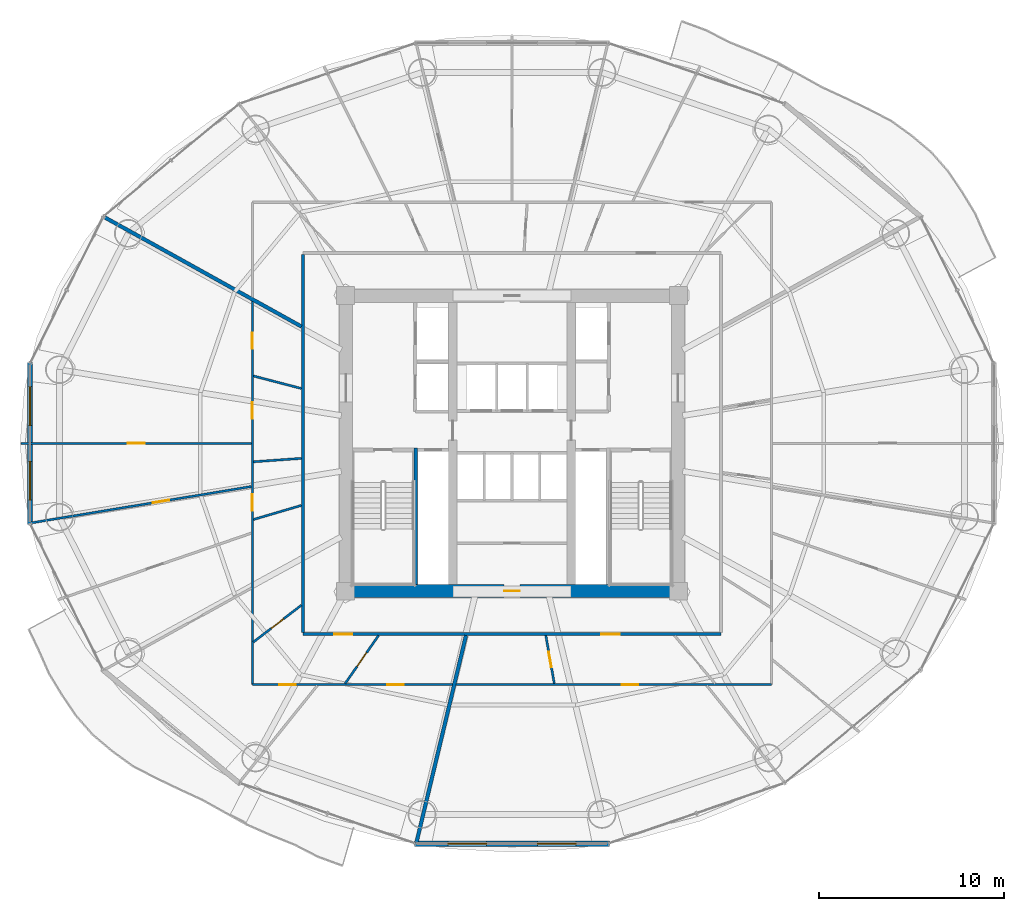
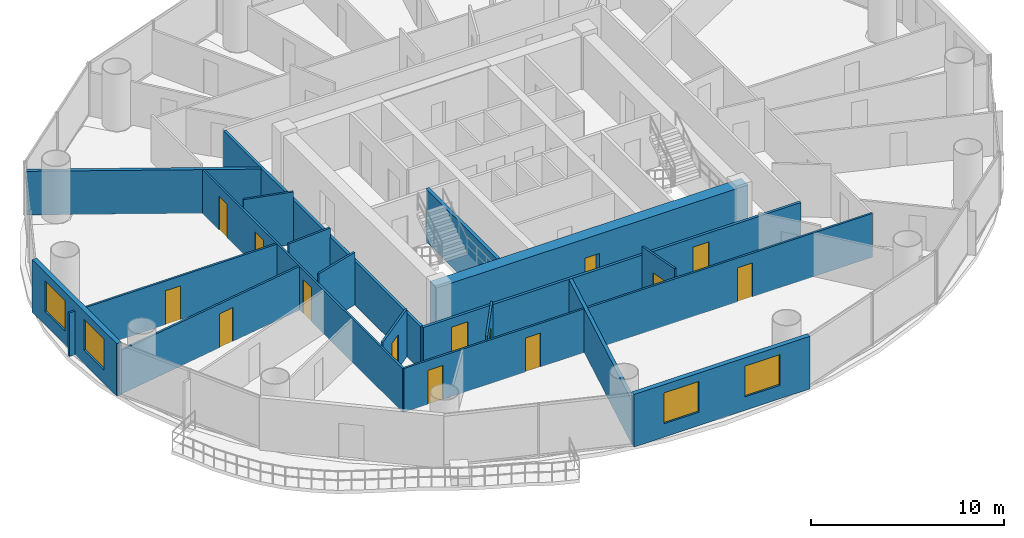
# One storey, part 22 of 29: 19 walls, 14 doors, 4 windows, 18 openings.
"""IFC4 building model written with IfcOpenShell, lengths in metres."""

from ifc_helpers import new_model, si_unit, direction, frame, frame_2d, origin, place, context, subcontext, project, spatial, rectangle, extrude, source, transform, mapped, material, layer, layer_set, type_object, element, fill, save


model = new_model("IFC4")

# Units and contexts
model_context = context("Model", 3, precision=1e-05, world=origin(), true_north=direction((-0.2419218956, 0.970295726276)))
body_context = subcontext(model_context, "Body", "Model", "MODEL_VIEW")
ifc_project = project(units=[si_unit("LENGTHUNIT", "METRE"), si_unit("AREAUNIT", "SQUARE_METRE"), si_unit("VOLUMEUNIT", "CUBIC_METRE"), si_unit("PLANEANGLEUNIT", "RADIAN"), si_unit("MASSUNIT", "GRAM", prefix="KILO")], contexts=[model_context])

# Site, building, storey
site_placement = place(None, origin())
site = spatial("IfcSite", under=ifc_project, at=site_placement, CompositionType="ELEMENT")
building_placement = place(site_placement, origin())
building = spatial("IfcBuilding", under=site, at=building_placement, Name="Cobrevalo Terracotta Tower", CompositionType="ELEMENT")
storey_placement = place(building_placement, frame((0.0, 0.0, 97.800048828125)))
storey = spatial("IfcBuildingStorey", under=building, at=storey_placement, Name="L25", CompositionType="ELEMENT", Elevation=97.800048828125)

# Wall, opening, door
ifc_material_1 = material(Name="Concrete C60", Category="concrete")
ifc_layer_1 = layer(ifc_material_1, 0.699951171875)
ifc_layer_set_1 = layer_set([ifc_layer_1], Name="Concrete C60")
wall_type_1 = type_object("IfcWallType", Name="Core shear wall 700 mm Concrete C60", PredefinedType="SHEAR", material=ifc_layer_set_1)
wall_1_placement = place(storey_placement, frame((28.675048828125, 18.824951171875, 0.0), z_axis=(0.0, 0.0, 1.0), x_axis=(1.0, 0.0, 0.0)))
wall_1 = element("IfcWall", 1, at=wall_1_placement, inside=storey, type_object=wall_type_1, Name="L25 south core shear wall", PredefinedType="SHEAR", context=body_context, shape_type="SweptSolid", body=[
    extrude(rectangle(XDim=18.64990234375, YDim=0.699951171875, at=frame_2d((9.324951171875, 0.0))), origin(), (0.0, 0.0, 1.0), 3.324951171875),
])
opening_1_placement = place(wall_1_placement, frame((8.89990234375, 0.0, 0.0)))
opening_1 = element("IfcOpeningElement", 2, at=opening_1_placement, cuts=wall_1, Name="Opening ID-22", PredefinedType="OPENING", context=body_context, shape_type="SweptSolid", body=[
    extrude(rectangle(XDim=0.85009765625, YDim=2.10009765625, at=frame_2d((0.425048828125, 1.050048828125))), frame((0.0, 0.35986328125, 0.0), z_axis=(0.0, -1.0, 0.0), x_axis=(1.0, 0.0, 0.0)), (0.0, 0.0, 1.0), 0.719970703125),
])
ifc_material_2 = material(Name="Powder-coated steel", Category="steel")
door_type_1 = type_object("IfcDoorType", Name="Riser shaft & meter closet fire access door 850x2100 EI 60", OperationType="NOTDEFINED", PredefinedType="DOOR", material=ifc_material_2)
shared_shape_1 = source(origin(), body_context, "Body", "SweptSolid", [
    extrude(rectangle(XDim=0.85009765625, YDim=2.10009765625, at=frame_2d((0.425048828125, 1.050048828125))), frame((0.0, 0.02490234375, 0.0), z_axis=(0.0, -1.0, 0.0), x_axis=(1.0, 0.0, 0.0)), (0.0, 0.0, 1.0), 0.050048828125),
])
door_1_placement = place(opening_1_placement, origin())
door_1 = element("IfcDoor", 3, at=door_1_placement, inside=storey, type_object=door_type_1, Name="L25 core south plant door Smoke Extract Fan Plant", OperationType="SINGLE_SWING_RIGHT", OverallHeight=2.10009765625, OverallWidth=0.85009765625, PredefinedType="DOOR", context=body_context, shape_type="MappedRepresentation", body=[
    mapped(shared_shape_1, transform((0.0, 0.0, 0.0), scale=1.0)),
])
fill(opening_1, door_1)

# Wall, openings, doors
ifc_material_3 = material(Name="Gypsum board on steel stud", Category="steel")
ifc_layer_2 = layer(ifc_material_3, 0.159912109375)
ifc_layer_set_2 = layer_set([ifc_layer_2], Name="Gypsum board on steel stud")
wall_type_2 = type_object("IfcWallType", Name="Fire-rated corridor acoustic partition wall 160 mm", PredefinedType="PARTITIONING", material=ifc_layer_set_2)
wall_2_placement = place(storey_placement, frame((26.695068359375, 16.4951171875, 0.0), z_axis=(0.0, 0.0, 1.0), x_axis=(1.0, 0.0, 0.0)))
wall_2 = element("IfcWall", 4, at=wall_2_placement, inside=storey, type_object=wall_type_2, Name="L25 interior partition IW-L25-COR-S", PredefinedType="PARTITIONING", context=body_context, shape_type="SweptSolid", body=[
    extrude(rectangle(XDim=22.60986328125, YDim=0.159912109375, at=frame_2d((11.304931640625, 0.0))), origin(), (0.0, 0.0, 1.0), 2.766845703125),
])
opening_2_placement = place(wall_2_placement, frame((1.688232421875, 0.0, 0.0)))
opening_2 = element("IfcOpeningElement", 5, at=opening_2_placement, cuts=wall_2, Name="Opening ID-05", PredefinedType="OPENING", context=body_context, shape_type="SweptSolid", body=[
    extrude(rectangle(XDim=0.97998046875, YDim=2.199951171875, at=frame_2d((0.489990234375, 1.10009765625))), frame((0.0, 0.08984375, 0.0), z_axis=(0.0, -1.0, 0.0), x_axis=(1.0, 0.0, 0.0)), (0.0, 0.0, 1.0), 0.179931640625),
])
opening_3_placement = place(wall_2_placement, frame((16.137451171875, 0.0, 0.0)))
opening_3 = element("IfcOpeningElement", 6, at=opening_3_placement, cuts=wall_2, Name="Opening ID-05", PredefinedType="OPENING", context=body_context, shape_type="SweptSolid", body=[
    extrude(rectangle(XDim=0.97998046875, YDim=2.199951171875, at=frame_2d((0.489990234375, 1.10009765625))), frame((0.0, 0.08984375, 0.0), z_axis=(0.0, -1.0, 0.0), x_axis=(1.0, 0.0, 0.0)), (0.0, 0.0, 1.0), 0.179931640625),
])
ifc_material_4 = material(Name="Solid hardwood timber", Category="wood")
door_type_2 = type_object("IfcDoorType", Name="Residence entrance fire-rated acoustic timber door 980x2200 EI 60", OperationType="NOTDEFINED", PredefinedType="DOOR", material=ifc_material_4)
shared_shape_2 = source(origin(), body_context, "Body", "SweptSolid", [
    extrude(rectangle(XDim=0.97998046875, YDim=2.199951171875, at=frame_2d((0.489990234375, 1.10009765625))), frame((0.0, 0.02490234375, 0.0), z_axis=(0.0, -1.0, 0.0), x_axis=(1.0, 0.0, 0.0)), (0.0, 0.0, 1.0), 0.050048828125),
])
door_2_placement = place(opening_2_placement, frame((0.97998046875, 0.0, 0.0), z_axis=(0.0, 0.0, 1.0), x_axis=(-1.0, 0.0, 0.0)))
door_2 = element("IfcDoor", 7, at=door_2_placement, inside=storey, type_object=door_type_2, Name="Flat L25B fire-rated apartment entrance door", OperationType="SINGLE_SWING_RIGHT", OverallHeight=2.199951171875, OverallWidth=0.97998046875, PredefinedType="DOOR", context=body_context, shape_type="MappedRepresentation", body=[
    mapped(shared_shape_2, transform((0.0, 0.0, 0.0), scale=1.0)),
])
fill(opening_2, door_2)
door_3_placement = place(opening_3_placement, frame((0.97998046875, 0.0, 0.0), z_axis=(0.0, 0.0, 1.0), x_axis=(-1.0, 0.0, 0.0)))
door_3 = element("IfcDoor", 8, at=door_3_placement, inside=storey, type_object=door_type_2, Name="Flat L25C fire-rated apartment entrance door", OperationType="SINGLE_SWING_RIGHT", OverallHeight=2.199951171875, OverallWidth=0.97998046875, PredefinedType="DOOR", context=body_context, shape_type="MappedRepresentation", body=[
    mapped(shared_shape_2, transform((0.0, 0.0, 0.0), scale=1.0)),
])
fill(opening_3, door_3)

# Walls
wall_3_placement = place(storey_placement, frame((26.695068359375, 16.574951171875, 0.0), z_axis=(0.0, 0.0, 1.0), x_axis=(0.0, 1.0, 0.0)))
element("IfcWall", 9, at=wall_3_placement, inside=storey, type_object=wall_type_2, Name="L25 interior partition IW-L25-COR-W", PredefinedType="PARTITIONING", context=body_context, shape_type="SweptSolid", body=[
    extrude(rectangle(XDim=20.449951171875, YDim=0.159912109375, at=frame_2d((10.22509765625, 0.0))), origin(), (0.0, 0.0, 1.0), 2.766845703125),
])
ifc_material_5 = material(Name="Autoclaved aerated concrete block", Category="concrete")
ifc_layer_3 = layer(ifc_material_5, 0.199951171875)
ifc_layer_set_3 = layer_set([ifc_layer_3], Name="Autoclaved aerated concrete block")
wall_type_3 = type_object("IfcWallType", Name="Fire-rated stair, shaft & demising masonry wall 200 mm", PredefinedType="PARTITIONING", material=ifc_layer_set_3)
wall_4_placement = place(storey_placement, frame((26.614990234375, 33.120361328125, 0.0), z_axis=(0.0, 0.0, 1.0), x_axis=(-0.874319192772, 0.485351366692, 0.0)))
element("IfcWall", 10, at=wall_4_placement, inside=storey, type_object=wall_type_3, Name="L25 interior partition IW-L25-DEM-2", PredefinedType="PARTITIONING", context=body_context, shape_type="SweptSolid", body=[
    extrude(rectangle(XDim=12.158447265625, YDim=0.199951171875, at=frame_2d((6.0791015625, 0.0))), origin(), (0.0, 0.0, 1.0), 2.766845703125),
])
wall_5_placement = place(storey_placement, frame((35.513671875, 16.4150390625, 0.0), z_axis=(0.0, 0.0, 1.0), x_axis=(-0.232829417917, -0.972517589636, 0.0)))
element("IfcWall", 11, at=wall_5_placement, inside=storey, type_object=wall_type_3, Name="L25 interior partition IW-L25-DEM-3", PredefinedType="PARTITIONING", context=body_context, shape_type="SweptSolid", body=[
    extrude(rectangle(XDim=11.501953125, YDim=0.199951171875, at=frame_2d((5.7509765625, 0.0))), origin(), (0.0, 0.0, 1.0), 2.766845703125),
])

# Wall, openings, windows
ifc_layer_4 = layer(ifc_material_5, 0.280029296875)
ifc_layer_set_4 = layer_set([ifc_layer_4], Name="Autoclaved aerated concrete block")
wall_type_4 = type_object("IfcWallType", Name="Insulated tower spandrel & pier wall 280 mm with terracotta rainscreen", PredefinedType="SOLIDWALL", material=ifc_layer_set_4)
wall_6_placement = place(storey_placement, frame((11.9404296875, 31.185546875, 0.0), z_axis=(0.0, 0.0, 1.0), x_axis=(0.0, -1.0, 0.0)))
wall_6 = element("IfcWall", 12, at=wall_6_placement, inside=storey, type_object=wall_type_4, Name="L25 terracotta rainscreen pier wall S08", PredefinedType="SOLIDWALL", context=body_context, shape_type="SweptSolid", body=[
    extrude(rectangle(XDim=8.771240234375, YDim=0.280029296875, at=frame_2d((4.3857421875, 0.0))), origin(), (0.0, 0.0, 1.0), 3.324951171875),
])
opening_4_placement = place(wall_6_placement, frame((1.318115234375, 0.0, 0.85009765625)))
opening_4 = element("IfcOpeningElement", 13, at=opening_4_placement, cuts=wall_6, Name="Opening WN-10", PredefinedType="OPENING", context=body_context, shape_type="SweptSolid", body=[
    extrude(rectangle(XDim=2.10009765625, YDim=1.949951171875, at=frame_2d((1.050048828125, 0.97509765625))), frame((0.0, 0.14990234375, 0.0), z_axis=(0.0, -1.0, 0.0), x_axis=(1.0, 0.0, 0.0)), (0.0, 0.0, 1.0), 0.300048828125),
])
opening_5_placement = place(wall_6_placement, frame((5.35302734375, 0.0, 0.85009765625)))
opening_5 = element("IfcOpeningElement", 14, at=opening_5_placement, cuts=wall_6, Name="Opening WN-10", PredefinedType="OPENING", context=body_context, shape_type="SweptSolid", body=[
    extrude(rectangle(XDim=2.10009765625, YDim=1.949951171875, at=frame_2d((1.050048828125, 0.97509765625))), frame((0.0, 0.14990234375, 0.0), z_axis=(0.0, -1.0, 0.0), x_axis=(1.0, 0.0, 0.0)), (0.0, 0.0, 1.0), 0.300048828125),
])
ifc_material_6 = material(Name="Solar-control low-E double glazing", Category="glass")
window_type = type_object("IfcWindowType", Name="Wide panoramic low-E aluminium window 2100x1950", PartitioningType="SINGLE_PANEL", PredefinedType="WINDOW", material=ifc_material_6)
shared_shape_3 = source(origin(), body_context, "Body", "SweptSolid", [
    extrude(rectangle(XDim=2.10009765625, YDim=1.949951171875, at=frame_2d((1.050048828125, 0.97509765625))), frame((0.0, 0.030029296875, 0.0), z_axis=(0.0, -1.0, 0.0), x_axis=(1.0, 0.0, 0.0)), (0.0, 0.0, 1.0), 0.06005859375),
])
window_1_placement = place(opening_4_placement, origin())
window_1 = element("IfcWindow", 15, at=window_1_placement, inside=storey, type_object=window_type, Name="L25 suite window S08A", OverallHeight=1.949951171875, OverallWidth=2.10009765625, PartitioningType="SINGLE_PANEL", PredefinedType="WINDOW", context=body_context, shape_type="MappedRepresentation", body=[
    mapped(shared_shape_3, transform((0.0, 0.0, 0.0), scale=1.0)),
])
fill(opening_4, window_1)
window_2_placement = place(opening_5_placement, origin())
window_2 = element("IfcWindow", 16, at=window_2_placement, inside=storey, type_object=window_type, Name="L25 suite window S08B", OverallHeight=1.949951171875, OverallWidth=2.10009765625, PartitioningType="SINGLE_PANEL", PredefinedType="WINDOW", context=body_context, shape_type="MappedRepresentation", body=[
    mapped(shared_shape_3, transform((0.0, 0.0, 0.0), scale=1.0)),
])
fill(opening_5, window_2)

wall_7_placement = place(storey_placement, frame((32.736328125, 5.154052734375, 0.0), z_axis=(0.0, 0.0, 1.0), x_axis=(1.0, 0.0, 0.0)))
wall_7 = element("IfcWall", 17, at=wall_7_placement, inside=storey, type_object=wall_type_4, Name="L25 terracotta rainscreen pier wall S12", PredefinedType="SOLIDWALL", context=body_context, shape_type="SweptSolid", body=[
    extrude(rectangle(XDim=10.52734375, YDim=0.280029296875, at=frame_2d((5.263671875, 0.0))), origin(), (0.0, 0.0, 1.0), 3.324951171875),
])
opening_6_placement = place(wall_7_placement, frame((1.792236328125, 0.0, 0.85009765625)))
opening_6 = element("IfcOpeningElement", 18, at=opening_6_placement, cuts=wall_7, Name="Opening WN-10", PredefinedType="OPENING", context=body_context, shape_type="SweptSolid", body=[
    extrude(rectangle(XDim=2.10009765625, YDim=1.949951171875, at=frame_2d((1.050048828125, 0.97509765625))), frame((0.0, 0.14990234375, 0.0), z_axis=(0.0, -1.0, 0.0), x_axis=(1.0, 0.0, 0.0)), (0.0, 0.0, 1.0), 0.300048828125),
])
opening_7_placement = place(wall_7_placement, frame((6.634765625, 0.0, 0.85009765625)))
opening_7 = element("IfcOpeningElement", 19, at=opening_7_placement, cuts=wall_7, Name="Opening WN-10", PredefinedType="OPENING", context=body_context, shape_type="SweptSolid", body=[
    extrude(rectangle(XDim=2.10009765625, YDim=1.949951171875, at=frame_2d((1.050048828125, 0.97509765625))), frame((0.0, 0.14990234375, 0.0), z_axis=(0.0, -1.0, 0.0), x_axis=(1.0, 0.0, 0.0)), (0.0, 0.0, 1.0), 0.300048828125),
])
window_3_placement = place(opening_6_placement, origin())
window_3 = element("IfcWindow", 20, at=window_3_placement, inside=storey, type_object=window_type, Name="L25 suite window S12A", OverallHeight=1.949951171875, OverallWidth=2.10009765625, PartitioningType="SINGLE_PANEL", PredefinedType="WINDOW", context=body_context, shape_type="MappedRepresentation", body=[
    mapped(shared_shape_3, transform((0.0, 0.0, 0.0), scale=1.0)),
])
fill(opening_6, window_3)
window_4_placement = place(opening_7_placement, origin())
window_4 = element("IfcWindow", 21, at=window_4_placement, inside=storey, type_object=window_type, Name="L25 suite window S12B", OverallHeight=1.949951171875, OverallWidth=2.10009765625, PartitioningType="SINGLE_PANEL", PredefinedType="WINDOW", context=body_context, shape_type="MappedRepresentation", body=[
    mapped(shared_shape_3, transform((0.0, 0.0, 0.0), scale=1.0)),
])
fill(opening_7, window_4)

# Wall, openings, doors
ifc_layer_5 = layer(ifc_material_3, 0.1201171875)
ifc_layer_set_5 = layer_set([ifc_layer_5], Name="Gypsum board on steel stud")
wall_type_5 = type_object("IfcWallType", Name="Residential internal acoustic stud partition 120 mm", PredefinedType="PARTITIONING", material=ifc_layer_set_5)
wall_8_placement = place(storey_placement, frame((34.77734375, 13.764892578125, 0.0), z_axis=(0.0, 0.0, 1.0), x_axis=(-1.0, 0.0, 0.0)))
wall_8 = element("IfcWall", 22, at=wall_8_placement, inside=storey, type_object=wall_type_5, Name="L25 interior partition IW-L25-U2-RING0_0", PredefinedType="PARTITIONING", context=body_context, shape_type="SweptSolid", body=[
    extrude(rectangle(XDim=10.812255859375, YDim=0.1201171875, at=frame_2d((5.40625, 0.0))), origin(), (0.0, 0.0, 1.0), 2.766845703125),
])
opening_8_placement = place(wall_8_placement, frame((8.46630859375, 0.0, 0.0)))
opening_8 = element("IfcOpeningElement", 23, at=opening_8_placement, cuts=wall_8, Name="Opening ID-12", PredefinedType="OPENING", context=body_context, shape_type="SweptSolid", body=[
    extrude(rectangle(XDim=0.89990234375, YDim=2.14990234375, at=frame_2d((0.449951171875, 1.074951171875))), frame((0.0, 0.070068359375, 0.0), z_axis=(0.0, -1.0, 0.0), x_axis=(1.0, 0.0, 0.0)), (0.0, 0.0, 1.0), 0.14013671875),
])
opening_9_placement = place(wall_8_placement, frame((2.627685546875, 0.0, 0.0)))
opening_9 = element("IfcOpeningElement", 24, at=opening_9_placement, cuts=wall_8, Name="Opening ID-12", PredefinedType="OPENING", context=body_context, shape_type="SweptSolid", body=[
    extrude(rectangle(XDim=0.89990234375, YDim=2.14990234375, at=frame_2d((0.449951171875, 1.074951171875))), frame((0.0, 0.070068359375, 0.0), z_axis=(0.0, -1.0, 0.0), x_axis=(1.0, 0.0, 0.0)), (0.0, 0.0, 1.0), 0.14013671875),
])
ifc_material_7 = material(Name="Engineered timber", Category="wood")
door_type_3 = type_object("IfcDoorType", Name="Internal residence & suite timber door 900x2150", OperationType="NOTDEFINED", PredefinedType="DOOR", material=ifc_material_7)
shared_shape_4 = source(origin(), body_context, "Body", "SweptSolid", [
    extrude(rectangle(XDim=0.89990234375, YDim=2.14990234375, at=frame_2d((0.449951171875, 1.074951171875))), frame((0.0, 0.02490234375, 0.0), z_axis=(0.0, -1.0, 0.0), x_axis=(1.0, 0.0, 0.0)), (0.0, 0.0, 1.0), 0.050048828125),
])
door_4_placement = place(opening_8_placement, frame((0.89990234375, 0.0, 0.0), z_axis=(0.0, 0.0, 1.0), x_axis=(-1.0, 0.0, 0.0)))
door_4 = element("IfcDoor", 25, at=door_4_placement, inside=storey, type_object=door_type_3, Name="Flat L25B Penthouse Family Lounge internal door", OperationType="SINGLE_SWING_LEFT", OverallHeight=2.14990234375, OverallWidth=0.89990234375, PredefinedType="DOOR", context=body_context, shape_type="MappedRepresentation", body=[
    mapped(shared_shape_4, transform((0.0, 0.0, 0.0), scale=1.0)),
])
fill(opening_8, door_4)
door_5_placement = place(opening_9_placement, origin())
door_5 = element("IfcDoor", 26, at=door_5_placement, inside=storey, type_object=door_type_3, Name="Flat L25B Penthouse Family Lounge internal door", OperationType="SINGLE_SWING_RIGHT", OverallHeight=2.14990234375, OverallWidth=0.89990234375, PredefinedType="DOOR", context=body_context, shape_type="MappedRepresentation", body=[
    mapped(shared_shape_4, transform((0.0, 0.0, 0.0), scale=1.0)),
])
fill(opening_9, door_5)

wall_9_placement = place(storey_placement, frame((23.965087890625, 13.764892578125, 0.0), z_axis=(0.0, 0.0, 1.0), x_axis=(0.0, 1.0, 0.0)))
wall_9 = element("IfcWall", 27, at=wall_9_placement, inside=storey, type_object=wall_type_5, Name="L25 interior partition IW-L25-U2-RING1_0", PredefinedType="PARTITIONING", context=body_context, shape_type="SweptSolid", body=[
    extrude(rectangle(XDim=20.724609375, YDim=0.1201171875, at=frame_2d((10.3623046875, 0.0))), origin(), (0.0, 0.0, 1.0), 2.766845703125),
])
opening_10_placement = place(wall_9_placement, frame((9.400634765625, 0.0, 0.0)))
opening_10 = element("IfcOpeningElement", 28, at=opening_10_placement, cuts=wall_9, Name="Opening ID-12", PredefinedType="OPENING", context=body_context, shape_type="SweptSolid", body=[
    extrude(rectangle(XDim=0.89990234375, YDim=2.14990234375, at=frame_2d((0.449951171875, 1.074951171875))), frame((0.0, 0.070068359375, 0.0), z_axis=(0.0, -1.0, 0.0), x_axis=(1.0, 0.0, 0.0)), (0.0, 0.0, 1.0), 0.14013671875),
])
opening_11_placement = place(wall_9_placement, frame((18.156982421875, 0.0, 0.0)))
opening_11 = element("IfcOpeningElement", 29, at=opening_11_placement, cuts=wall_9, Name="Opening ID-19", PredefinedType="OPENING", context=body_context, shape_type="SweptSolid", body=[
    extrude(rectangle(XDim=0.860107421875, YDim=2.14990234375, at=frame_2d((0.43017578125, 1.074951171875))), frame((0.0, 0.070068359375, 0.0), z_axis=(0.0, -1.0, 0.0), x_axis=(1.0, 0.0, 0.0)), (0.0, 0.0, 1.0), 0.14013671875),
])
opening_12_placement = place(wall_9_placement, frame((14.376220703125, 0.0, 0.0)))
opening_12 = element("IfcOpeningElement", 30, at=opening_12_placement, cuts=wall_9, Name="Opening ID-12", PredefinedType="OPENING", context=body_context, shape_type="SweptSolid", body=[
    extrude(rectangle(XDim=0.89990234375, YDim=2.14990234375, at=frame_2d((0.449951171875, 1.074951171875))), frame((0.0, 0.070068359375, 0.0), z_axis=(0.0, -1.0, 0.0), x_axis=(1.0, 0.0, 0.0)), (0.0, 0.0, 1.0), 0.14013671875),
])
ifc_material_8 = material(Name="Moisture-sealed timber", Category="wood")
door_type_4 = type_object("IfcDoorType", Name="Suite bathroom internal timber door 860x2150", OperationType="NOTDEFINED", PredefinedType="DOOR", material=ifc_material_8)
shared_shape_5 = source(origin(), body_context, "Body", "SweptSolid", [
    extrude(rectangle(XDim=0.860107421875, YDim=2.14990234375, at=frame_2d((0.43017578125, 1.074951171875))), frame((0.0, 0.02490234375, 0.0), z_axis=(0.0, -1.0, 0.0), x_axis=(1.0, 0.0, 0.0)), (0.0, 0.0, 1.0), 0.050048828125),
])
door_6_placement = place(opening_11_placement, frame((0.860107421875, 0.0, 0.0), z_axis=(0.0, 0.0, 1.0), x_axis=(-1.0, 0.0, 0.0)))
door_6 = element("IfcDoor", 31, at=door_6_placement, inside=storey, type_object=door_type_4, Name="Flat L25B Guest Bathroom internal door", OperationType="SINGLE_SWING_RIGHT", OverallHeight=2.14990234375, OverallWidth=0.860107421875, PredefinedType="DOOR", context=body_context, shape_type="MappedRepresentation", body=[
    mapped(shared_shape_5, transform((0.0, 0.0, 0.0), scale=1.0)),
])
fill(opening_11, door_6)
door_7_placement = place(opening_10_placement, frame((0.89990234375, 0.0, 0.0), z_axis=(0.0, 0.0, 1.0), x_axis=(-1.0, 0.0, 0.0)))
door_7 = element("IfcDoor", 32, at=door_7_placement, inside=storey, type_object=door_type_3, Name="Flat L25B Utility Closet internal door", OperationType="SINGLE_SWING_LEFT", OverallHeight=2.14990234375, OverallWidth=0.89990234375, PredefinedType="DOOR", context=body_context, shape_type="MappedRepresentation", body=[
    mapped(shared_shape_4, transform((0.0, 0.0, 0.0), scale=1.0)),
])
fill(opening_10, door_7)
door_8_placement = place(opening_12_placement, frame((0.89990234375, 0.0, 0.0), z_axis=(0.0, 0.0, 1.0), x_axis=(-1.0, 0.0, 0.0)))
door_8 = element("IfcDoor", 33, at=door_8_placement, inside=storey, type_object=door_type_3, Name="Flat L25B Private Wellness Room internal door", OperationType="SINGLE_SWING_LEFT", OverallHeight=2.14990234375, OverallWidth=0.89990234375, PredefinedType="DOOR", context=body_context, shape_type="MappedRepresentation", body=[
    mapped(shared_shape_4, transform((0.0, 0.0, 0.0), scale=1.0)),
])
fill(opening_12, door_8)

# Wall, opening, door
wall_10_placement = place(storey_placement, frame((23.903076171875, 26.800048828125, 0.0), z_axis=(0.0, 0.0, 1.0), x_axis=(-1.0, 0.0, 0.0)))
wall_10 = element("IfcWall", 34, at=wall_10_placement, inside=storey, type_object=wall_type_5, Name="L25 interior partition IW-L25-U2-ORAD1", PredefinedType="PARTITIONING", context=body_context, shape_type="SweptSolid", body=[
    extrude(rectangle(XDim=12.443115234375, YDim=0.1201171875, at=frame_2d((6.2216796875, 0.0))), origin(), (0.0, 0.0, 1.0), 2.766845703125),
])
opening_13_placement = place(wall_10_placement, frame((5.771484375, 0.0, 0.0)))
opening_13 = element("IfcOpeningElement", 35, at=opening_13_placement, cuts=wall_10, Name="Opening ID-12", PredefinedType="OPENING", context=body_context, shape_type="SweptSolid", body=[
    extrude(rectangle(XDim=0.89990234375, YDim=2.14990234375, at=frame_2d((0.449951171875, 1.074951171875))), frame((0.0, 0.070068359375, 0.0), z_axis=(0.0, -1.0, 0.0), x_axis=(1.0, 0.0, 0.0)), (0.0, 0.0, 1.0), 0.14013671875),
])
door_9_placement = place(opening_13_placement, frame((0.89990234375, 0.0, 0.0), z_axis=(0.0, 0.0, 1.0), x_axis=(-1.0, 0.0, 0.0)))
door_9 = element("IfcDoor", 36, at=door_9_placement, inside=storey, type_object=door_type_3, Name="Flat L25B Penthouse Living and Dining Room internal door", OperationType="SINGLE_SWING_LEFT", OverallHeight=2.14990234375, OverallWidth=0.89990234375, PredefinedType="DOOR", context=body_context, shape_type="MappedRepresentation", body=[
    mapped(shared_shape_4, transform((0.0, 0.0, 0.0), scale=1.0)),
])
fill(opening_13, door_9)

wall_11_placement = place(storey_placement, frame((23.90380859375, 24.470458984375, 0.0), z_axis=(0.0, 0.0, 1.0), x_axis=(-0.986618264768, -0.163047231274, 0.0)))
wall_11 = element("IfcWall", 37, at=wall_11_placement, inside=storey, type_object=wall_type_5, Name="L25 interior partition IW-L25-U2-ORAD2M1", PredefinedType="PARTITIONING", context=body_context, shape_type="SweptSolid", body=[
    extrude(rectangle(XDim=12.038818359375, YDim=0.1201171875, at=frame_2d((6.01953125, 0.0))), origin(), (0.0, 0.0, 1.0), 2.766845703125),
])
opening_14_placement = place(wall_11_placement, frame((4.495849609375, 0.0, 0.0)))
opening_14 = element("IfcOpeningElement", 38, at=opening_14_placement, cuts=wall_11, Name="Opening ID-12", PredefinedType="OPENING", context=body_context, shape_type="SweptSolid", body=[
    extrude(rectangle(XDim=0.89990234375, YDim=2.14990234375, at=frame_2d((0.449951171875, 1.074951171875))), frame((0.0, 0.070068359375, 0.0), z_axis=(0.0, -1.0, 0.0), x_axis=(1.0, 0.0, 0.0)), (0.0, 0.0, 1.0), 0.14013671875),
])
door_10_placement = place(opening_14_placement, frame((0.89990234375, 0.0, 0.0), z_axis=(0.0, 0.0, 1.0), x_axis=(-1.0, 0.0, 0.0)))
door_10 = element("IfcDoor", 39, at=door_10_placement, inside=storey, type_object=door_type_3, Name="Flat L25B Master Bedroom internal door", OperationType="SINGLE_SWING_RIGHT", OverallHeight=2.14990234375, OverallWidth=0.89990234375, PredefinedType="DOOR", context=body_context, shape_type="MappedRepresentation", body=[
    mapped(shared_shape_4, transform((0.0, 0.0, 0.0), scale=1.0)),
])
fill(opening_14, door_10)

# Walls
wall_12_placement = place(storey_placement, frame((26.614990234375, 29.77099609375, 0.0), z_axis=(0.0, 0.0, 1.0), x_axis=(-0.967585302816, 0.252544415449, 0.0)))
element("IfcWall", 40, at=wall_12_placement, inside=storey, type_object=wall_type_5, Name="L25 interior partition IW-L25-U2-IRAD1", PredefinedType="PARTITIONING", context=body_context, shape_type="SweptSolid", body=[
    extrude(rectangle(XDim=2.6767578125, YDim=0.1201171875, at=frame_2d((1.33837890625, 0.0))), origin(), (0.0, 0.0, 1.0), 3.324951171875),
])
wall_13_placement = place(storey_placement, frame((26.614990234375, 25.9931640625, 0.0), z_axis=(0.0, 0.0, 1.0), x_axis=(-0.997500084777, -0.070665273433, 0.0)))
element("IfcWall", 41, at=wall_13_placement, inside=storey, type_object=wall_type_5, Name="L25 interior partition IW-L25-U2-IRAD2", PredefinedType="PARTITIONING", context=body_context, shape_type="SweptSolid", body=[
    extrude(rectangle(XDim=2.5947265625, YDim=0.1201171875, at=frame_2d((1.29736328125, 0.0))), origin(), (0.0, 0.0, 1.0), 3.324951171875),
])
wall_14_placement = place(storey_placement, frame((26.614990234375, 23.450439453125, 0.0), z_axis=(0.0, 0.0, 1.0), x_axis=(-0.959338143787, -0.282259323806, 0.0)))
element("IfcWall", 42, at=wall_14_placement, inside=storey, type_object=wall_type_5, Name="L25 interior partition IW-L25-U2-IRAD3", PredefinedType="PARTITIONING", context=body_context, shape_type="SweptSolid", body=[
    extrude(rectangle(XDim=2.700439453125, YDim=0.1201171875, at=frame_2d((1.35009765625, 0.0))), origin(), (0.0, 0.0, 1.0), 3.324951171875),
])

# Wall, opening, door
wall_15_placement = place(storey_placement, frame((26.614990234375, 18.05615234375, 0.0), z_axis=(0.0, 0.0, 1.0), x_axis=(-0.79311360735, -0.609073727751, 0.0)))
wall_15 = element("IfcWall", 43, at=wall_15_placement, inside=storey, type_object=wall_type_5, Name="L25 interior partition IW-L25-U2-IRAD4", PredefinedType="PARTITIONING", context=body_context, shape_type="SweptSolid", body=[
    extrude(rectangle(XDim=3.279296875, YDim=0.1201171875, at=frame_2d((1.6396484375, 0.0))), origin(), (0.0, 0.0, 1.0), 3.00390625),
])
opening_15_placement = place(wall_15_placement, frame((1.209716796875, 0.0, 0.0)))
opening_15 = element("IfcOpeningElement", 44, at=opening_15_placement, cuts=wall_15, Name="Opening ID-19", PredefinedType="OPENING", context=body_context, shape_type="SweptSolid", body=[
    extrude(rectangle(XDim=0.860107421875, YDim=2.14990234375, at=frame_2d((0.43017578125, 1.074951171875))), frame((0.0, 0.070068359375, 0.0), z_axis=(0.0, -1.0, 0.0), x_axis=(1.0, 0.0, 0.0)), (0.0, 0.0, 1.0), 0.14013671875),
])
door_11_placement = place(opening_15_placement, frame((0.860107421875, 0.0, 0.0), z_axis=(0.0, 0.0, 1.0), x_axis=(-1.0, 0.0, 0.0)))
door_11 = element("IfcDoor", 45, at=door_11_placement, inside=storey, type_object=door_type_4, Name="Flat L25B Primary Bathroom internal door", OperationType="SINGLE_SWING_LEFT", OverallHeight=2.14990234375, OverallWidth=0.860107421875, PredefinedType="DOOR", context=body_context, shape_type="MappedRepresentation", body=[
    mapped(shared_shape_5, transform((0.0, 0.0, 0.0), scale=1.0)),
])
fill(opening_15, door_11)

wall_16_placement = place(storey_placement, frame((30.783447265625, 16.4150390625, 0.0), z_axis=(0.0, 0.0, 1.0), x_axis=(-0.570653089326, -0.821191239385, 0.0)))
wall_16 = element("IfcWall", 46, at=wall_16_placement, inside=storey, type_object=wall_type_5, Name="L25 interior partition IW-L25-U2-IRAD5", PredefinedType="PARTITIONING", context=body_context, shape_type="SweptSolid", body=[
    extrude(rectangle(XDim=3.1650390625, YDim=0.1201171875, at=frame_2d((1.58251953125, 0.0))), origin(), (0.0, 0.0, 1.0), 3.00390625),
])
opening_16_placement = place(wall_16_placement, frame((1.132568359375, 0.0, 0.0)))
opening_16 = element("IfcOpeningElement", 47, at=opening_16_placement, cuts=wall_16, Name="Opening ID-12", PredefinedType="OPENING", context=body_context, shape_type="SweptSolid", body=[
    extrude(rectangle(XDim=0.89990234375, YDim=2.14990234375, at=frame_2d((0.449951171875, 1.074951171875))), frame((0.0, 0.070068359375, 0.0), z_axis=(0.0, -1.0, 0.0), x_axis=(1.0, 0.0, 0.0)), (0.0, 0.0, 1.0), 0.14013671875),
])
door_12_placement = place(opening_16_placement, origin())
door_12 = element("IfcDoor", 48, at=door_12_placement, inside=storey, type_object=door_type_3, Name="Flat L25B Kitchen internal door", OperationType="SINGLE_SWING_RIGHT", OverallHeight=2.14990234375, OverallWidth=0.89990234375, PredefinedType="DOOR", context=body_context, shape_type="MappedRepresentation", body=[
    mapped(shared_shape_4, transform((0.0, 0.0, 0.0), scale=1.0)),
])
fill(opening_16, door_12)

wall_17_placement = place(storey_placement, frame((52.034912109375, 13.764892578125, 0.0), z_axis=(0.0, 0.0, 1.0), x_axis=(-1.0, 0.0, 0.0)))
wall_17 = element("IfcWall", 49, at=wall_17_placement, inside=storey, type_object=wall_type_5, Name="L25 interior partition IW-L25-U3-RING1_0", PredefinedType="PARTITIONING", context=body_context, shape_type="SweptSolid", body=[
    extrude(rectangle(XDim=17.0537109375, YDim=0.1201171875, at=frame_2d((8.52685546875, 0.0))), origin(), (0.0, 0.0, 1.0), 2.766845703125),
])
opening_17_placement = place(wall_17_placement, frame((7.203369140625, 0.0, 0.0)))
opening_17 = element("IfcOpeningElement", 50, at=opening_17_placement, cuts=wall_17, Name="Opening ID-12", PredefinedType="OPENING", context=body_context, shape_type="SweptSolid", body=[
    extrude(rectangle(XDim=0.89990234375, YDim=2.14990234375, at=frame_2d((0.449951171875, 1.074951171875))), frame((0.0, 0.070068359375, 0.0), z_axis=(0.0, -1.0, 0.0), x_axis=(1.0, 0.0, 0.0)), (0.0, 0.0, 1.0), 0.14013671875),
])
door_13_placement = place(opening_17_placement, origin())
door_13 = element("IfcDoor", 51, at=door_13_placement, inside=storey, type_object=door_type_3, Name="Flat L25C Penthouse Living and Dining Room internal door", OperationType="SINGLE_SWING_RIGHT", OverallHeight=2.14990234375, OverallWidth=0.89990234375, PredefinedType="DOOR", context=body_context, shape_type="MappedRepresentation", body=[
    mapped(shared_shape_4, transform((0.0, 0.0, 0.0), scale=1.0)),
])
fill(opening_17, door_13)

wall_18_placement = place(storey_placement, frame((39.8291015625, 16.4150390625, 0.0), z_axis=(0.0, 0.0, 1.0), x_axis=(0.173488627881, -0.984835872618, 0.0)))
wall_18 = element("IfcWall", 52, at=wall_18_placement, inside=storey, type_object=wall_type_5, Name="L25 interior partition IW-L25-U3-IRAD1", PredefinedType="PARTITIONING", context=body_context, shape_type="SweptSolid", body=[
    extrude(rectangle(XDim=2.628662109375, YDim=0.1201171875, at=frame_2d((1.314453125, 0.0))), origin(), (0.0, 0.0, 1.0), 3.324951171875),
])
opening_18_placement = place(wall_18_placement, frame((0.884521484375, 0.0, 0.0)))
opening_18 = element("IfcOpeningElement", 53, at=opening_18_placement, cuts=wall_18, Name="Opening ID-19", PredefinedType="OPENING", context=body_context, shape_type="SweptSolid", body=[
    extrude(rectangle(XDim=0.860107421875, YDim=2.14990234375, at=frame_2d((0.43017578125, 1.074951171875))), frame((0.0, 0.070068359375, 0.0), z_axis=(0.0, -1.0, 0.0), x_axis=(1.0, 0.0, 0.0)), (0.0, 0.0, 1.0), 0.14013671875),
])
door_14_placement = place(opening_18_placement, frame((0.860107421875, 0.0, 0.0), z_axis=(0.0, 0.0, 1.0), x_axis=(-1.0, 0.0, 0.0)))
door_14 = element("IfcDoor", 54, at=door_14_placement, inside=storey, type_object=door_type_4, Name="Flat L25C Primary Bathroom internal door", OperationType="SINGLE_SWING_LEFT", OverallHeight=2.14990234375, OverallWidth=0.860107421875, PredefinedType="DOOR", context=body_context, shape_type="MappedRepresentation", body=[
    mapped(shared_shape_5, transform((0.0, 0.0, 0.0), scale=1.0)),
])
fill(opening_18, door_14)

# Wall
ifc_material_9 = material(Name="Concrete C50", Category="concrete")
ifc_layer_6 = layer(ifc_material_9, 0.199951171875)
ifc_layer_set_6 = layer_set([ifc_layer_6], Name="Concrete C50")
wall_type_6 = type_object("IfcWallType", Name="Structural core & podium stair-shaft RC wall 200 mm Concrete C50", PredefinedType="SOLIDWALL", material=ifc_layer_set_6)
wall_19_placement = place(storey_placement, frame((32.794921875, 19.175048828125, 0.0), z_axis=(0.0, 0.0, 1.0), x_axis=(0.0, 1.0, 0.0)))
element("IfcWall", 55, at=wall_19_placement, inside=storey, type_object=wall_type_6, Name="L25 ST-1 east structural shaft wall", PredefinedType="SOLIDWALL", context=body_context, shape_type="SweptSolid", body=[
    extrude(rectangle(XDim=7.375, YDim=0.199951171875, at=frame_2d((3.6875, 0.0))), origin(), (0.0, 0.0, 1.0), 3.324951171875),
])

save(model, "model.ifc")
